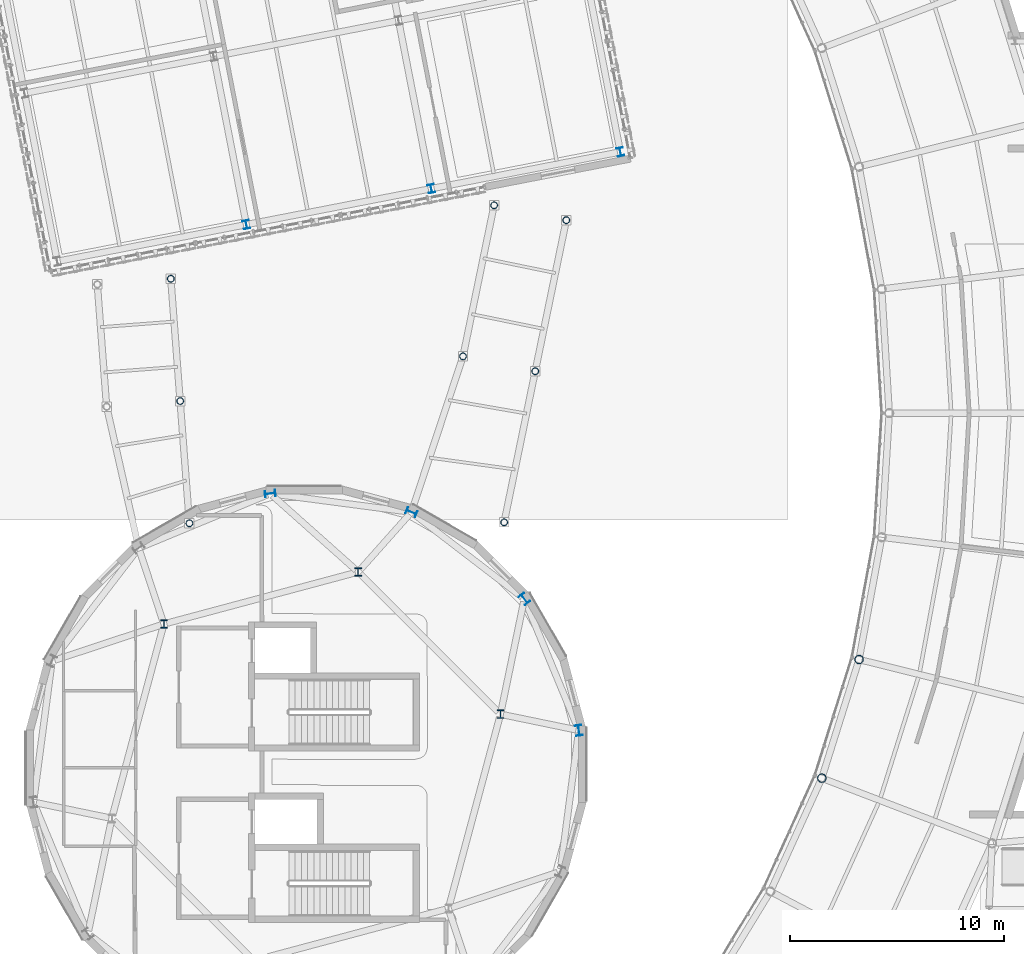
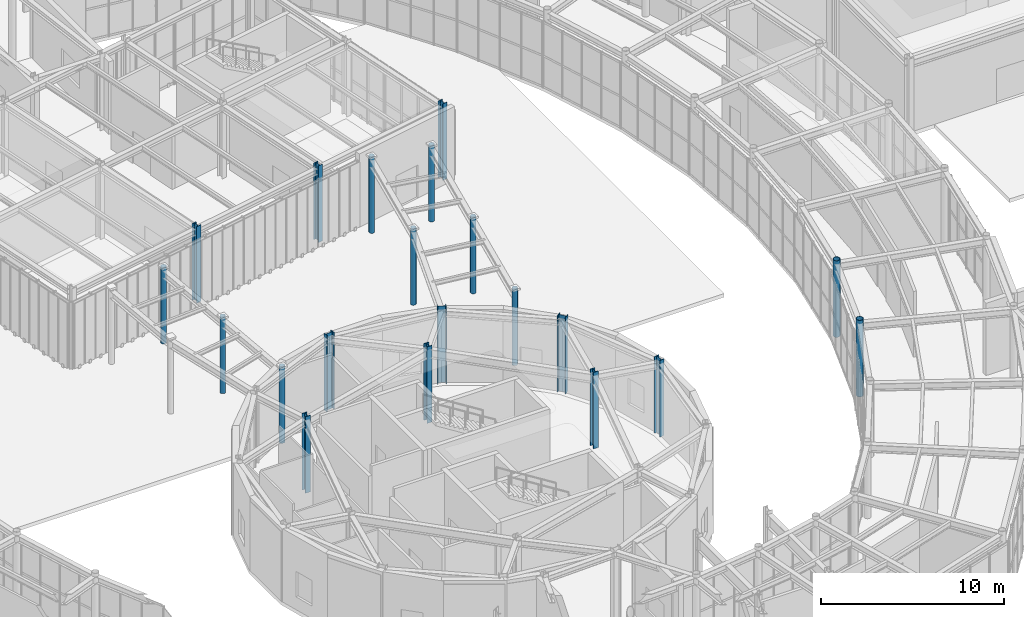
# One storey, part 7 of 97: 20 columns.
"""IFC4 building model written with IfcOpenShell, lengths in metres."""

from ifc_helpers import new_model, si_unit, direction, frame, origin, origin_2d, place, context, subcontext, project, spatial, hollow_circle, i_section, extrude, material, material_profile, profile_set, type_object, element, save


model = new_model("IFC4")

# Units and contexts
model_context = context("Model", 3, precision=1e-05, world=origin(), true_north=direction((0.0, 1.0)))
body_context = subcontext(model_context, "Body", "Model", "MODEL_VIEW")
ifc_project = project(units=[si_unit("LENGTHUNIT", "METRE"), si_unit("AREAUNIT", "SQUARE_METRE"), si_unit("VOLUMEUNIT", "CUBIC_METRE"), si_unit("PLANEANGLEUNIT", "RADIAN"), si_unit("MASSUNIT", "GRAM", prefix="KILO")], contexts=[model_context])

# Site, building, storey
site_placement = place(None, origin())
site = spatial("IfcSite", under=ifc_project, at=site_placement, CompositionType="ELEMENT")
building_placement = place(site_placement, origin())
building = spatial("IfcBuilding", under=site, at=building_placement, Name="Varnklinge Art Gallery", CompositionType="ELEMENT")
storey_placement = place(building_placement, origin())
storey = spatial("IfcBuildingStorey", under=building, at=storey_placement, Name="L00", CompositionType="ELEMENT", Elevation=0.0)

# Columns
ifc_material_1 = material(Name="Steel S355", Category="steel")
ifc_material_profile_1 = material_profile(ifc_material_1, i_section(OverallWidth=0.30810546875, OverallDepth=0.39501953125, WebThickness=0.02099609375, FlangeThickness=0.0400390625, FilletRadius=0.027099609375, at=origin_2d()), Name="HEM 360")
ifc_profile_set_1 = profile_set([ifc_material_profile_1], Name="Steel S355")
column_type_1 = type_object("IfcColumnType", Name="COL-03", PredefinedType="COLUMN", material=ifc_profile_set_1)
for number, where, z_axis, x_axis, name in (
    (1, (84.57958984375, 40.932861328125, 0.0), (0.0, 0.0, 1.0), (1.0, 0.0, 0.0), "L00 Column V4CI-1"),
    (2, (77.932861328125, 47.57958984375, 0.0), (0.0, 0.0, 1.0), (1.0, 0.0, 0.0), "L00 Column V4CI-2"),
    (3, (68.853271484375, 45.146728515625, 0.0), (0.0, 0.0, 1.0), (1.0, 0.0, 0.0), "L00 Column V4CI-3"),
):
    element("IfcColumn", number, at=place(storey_placement, frame(where, z_axis=z_axis, x_axis=x_axis)), inside=storey, type_object=column_type_1, Name=name, PredefinedType="COLUMN", context=body_context, shape_type="SweptSolid", body=[
        extrude(i_section(OverallWidth=0.30810546875, OverallDepth=0.39501953125, WebThickness=0.02099609375, FlangeThickness=0.0400390625, FilletRadius=0.027099609375, at=origin_2d()), origin(), (0.0, 0.0, 1.0), 5.10009765625),
    ])
ifc_material_2 = material(Name="Steel S355", Category="steel")
ifc_material_profile_2 = material_profile(ifc_material_2, i_section(OverallWidth=0.300048828125, OverallDepth=0.5, WebThickness=0.014404296875, FlangeThickness=0.028076171875, FilletRadius=0.027099609375, at=origin_2d()), Name="HEB 500")
ifc_profile_set_2 = profile_set([ifc_material_profile_2], Name="Steel S355")
column_type_2 = type_object("IfcColumnType", Name="COL-E1", PredefinedType="COLUMN", material=ifc_profile_set_2)
for number, where, z_axis, x_axis, name in (
    (4, (88.239990234375, 40.17724609375, 0.0), (0.0, 0.0, 1.0), (0.991444861374, 0.13052619222, 0.0), "L00 Column V4CP-01"),
    (5, (85.694580078125, 46.322509765625, 0.0), (0.0, 0.0, 1.0), (0.793353340291, 0.608761429009, 0.0), "L00 Column V4CP-02"),
    (6, (80.41748046875, 50.371826171875, 0.0), (0.0, 0.0, 1.0), (0.382683432365, 0.923879532511, 0.0), "L00 Column V4CP-03"),
    (7, (73.82275390625, 51.239990234375, 0.0), (0.0, 0.0, 1.0), (-0.13052619222, 0.991444861374, 0.0), "L00 Column V4CP-04"),
):
    element("IfcColumn", number, at=place(storey_placement, frame(where, z_axis=z_axis, x_axis=x_axis)), inside=storey, type_object=column_type_2, Name=name, PredefinedType="COLUMN", context=body_context, shape_type="SweptSolid", body=[
        extrude(i_section(OverallWidth=0.300048828125, OverallDepth=0.5, WebThickness=0.014404296875, FlangeThickness=0.028076171875, FilletRadius=0.027099609375, at=origin_2d()), origin(), (0.0, 0.0, 1.0), 5.10009765625),
    ])
ifc_material_3 = material(Name="Steel S355", Category="steel")
ifc_material_profile_3 = material_profile(ifc_material_3, i_section(OverallWidth=0.300048828125, OverallDepth=0.39990234375, WebThickness=0.013427734375, FlangeThickness=0.02392578125, FilletRadius=0.027099609375, at=origin_2d()), Name="HEB 400")
ifc_profile_set_3 = profile_set([ifc_material_profile_3], Name="Steel S355")
column_type_3 = type_object("IfcColumnType", Name="COL-E3", PredefinedType="COLUMN", material=ifc_profile_set_3)
for number, where, z_axis, x_axis, name in (
    (8, (72.707275390625, 63.807373046875, 0.0), (0.0, 0.0, 1.0), (0.981627183448, 0.190808995377, 0.0), "L00 Column V4BC-2-1"),
    (9, (81.345703125, 65.486572265625, 0.0), (0.0, 0.0, 1.0), (0.981627183448, 0.190808995377, 0.0), "L00 Column V4BC-3-1"),
    (10, (90.180419921875, 67.203857421875, 0.0), (0.0, 0.0, 1.0), (0.981627183448, 0.190808995377, 0.0), "L00 Column V4BC-4-1"),
):
    element("IfcColumn", number, at=place(storey_placement, frame(where, z_axis=z_axis, x_axis=x_axis)), inside=storey, type_object=column_type_3, Name=name, PredefinedType="COLUMN", context=body_context, shape_type="SweptSolid", body=[
        extrude(i_section(OverallWidth=0.300048828125, OverallDepth=0.39990234375, WebThickness=0.013427734375, FlangeThickness=0.02392578125, FilletRadius=0.027099609375, at=origin_2d()), origin(), (0.0, 0.0, 1.0), 5.10009765625),
    ])
ifc_material_4 = material(Name="Steel S355", Category="steel")
ifc_material_profile_4 = material_profile(ifc_material_4, hollow_circle(Radius=0.203125, WallThickness=0.02001953125, at=origin_2d()), Name="CHS 406.4x20")
ifc_profile_set_4 = profile_set([ifc_material_profile_4], Name="Steel S355")
column_type_4 = type_object("IfcColumnType", Name="COL-E5", PredefinedType="COLUMN", material=ifc_profile_set_4)
for number, where, z_axis, x_axis, name in (
    (11, (99.59130859375, 37.9453125, 0.0), (0.0, 0.0, 1.0), (-0.934017558691, 0.357227098715, 0.0), "L00 Column V2CI-04"),
    (12, (101.332763671875, 43.488037109375, 0.0), (0.0, 0.0, 1.0), (-0.970506473469, 0.241075060833, 0.0), "L00 Column V2CI-05"),
):
    element("IfcColumn", number, at=place(storey_placement, frame(where, z_axis=z_axis, x_axis=x_axis)), inside=storey, type_object=column_type_4, Name=name, PredefinedType="COLUMN", context=body_context, shape_type="SweptSolid", body=[
        extrude(hollow_circle(Radius=0.203125, WallThickness=0.02001953125, at=origin_2d()), origin(), (0.0, 0.0, 1.0), 5.10009765625),
    ])
ifc_material_5 = material(Name="Steel S355", Category="steel")
ifc_material_profile_5 = material_profile(ifc_material_5, hollow_circle(Radius=0.161865234375, WallThickness=0.01611328125, at=origin_2d()), Name="CHS 323.9x16")
ifc_profile_set_5 = profile_set([ifc_material_profile_5], Name="Steel S355")
column_type_5 = type_object("IfcColumnType", Name="COL-E6", PredefinedType="COLUMN", material=ifc_profile_set_5)
for number, where, z_axis, x_axis, name in (
    (13, (70.0478515625, 49.85205078125, 0.0), (0.0, 0.0, 1.0), (1.0, 0.0, 0.0), "L00 Column BRG-1-CL1"),
    (14, (69.613037109375, 55.563720703125, 0.0), (0.0, 0.0, 1.0), (1.0, 0.0, 0.0), "L00 Column BRG-1-CL2"),
    (15, (69.17822265625, 61.275390625, 0.0), (0.0, 0.0, 1.0), (1.0, 0.0, 0.0), "L00 Column BRG-1-CL3"),
    (16, (84.751220703125, 49.89794921875, 0.0), (0.0, 0.0, 1.0), (1.0, 0.0, 0.0), "L00 Column BRG-2-CL1"),
    (17, (86.20263671875, 56.9560546875, 0.0), (0.0, 0.0, 1.0), (1.0, 0.0, 0.0), "L00 Column BRG-2-CL2"),
    (18, (87.654052734375, 64.01416015625, 0.0), (0.0, 0.0, 1.0), (1.0, 0.0, 0.0), "L00 Column BRG-2-CL3"),
    (19, (82.8291015625, 57.64990234375, 0.0), (0.0, 0.0, 1.0), (1.0, 0.0, 0.0), "L00 Column BRG-2-CR2"),
    (20, (84.28076171875, 64.7080078125, 0.0), (0.0, 0.0, 1.0), (1.0, 0.0, 0.0), "L00 Column BRG-2-CR3"),
):
    element("IfcColumn", number, at=place(storey_placement, frame(where, z_axis=z_axis, x_axis=x_axis)), inside=storey, type_object=column_type_5, Name=name, PredefinedType="COLUMN", context=body_context, shape_type="SweptSolid", body=[
        extrude(hollow_circle(Radius=0.161865234375, WallThickness=0.01611328125, at=origin_2d()), origin(), (0.0, 0.0, 1.0), 5.10009765625),
    ])

save(model, "model.ifc")
